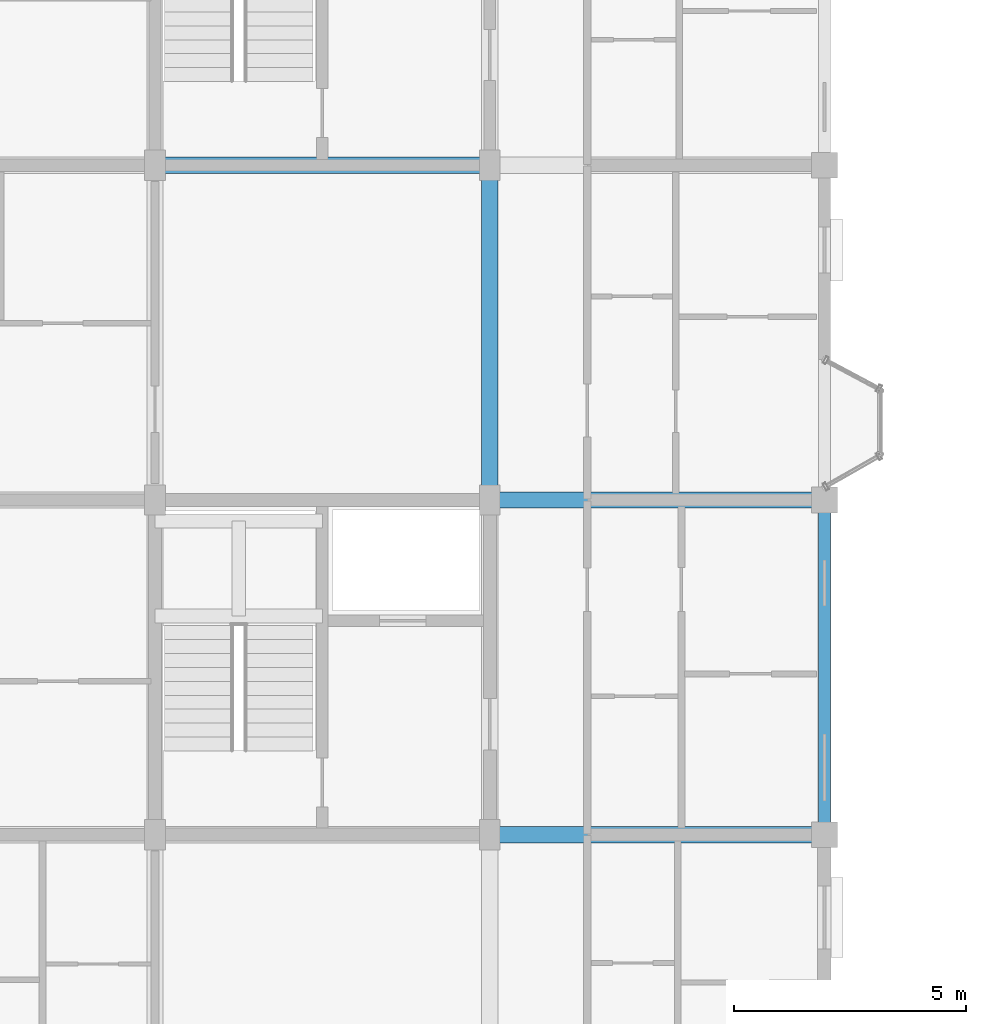
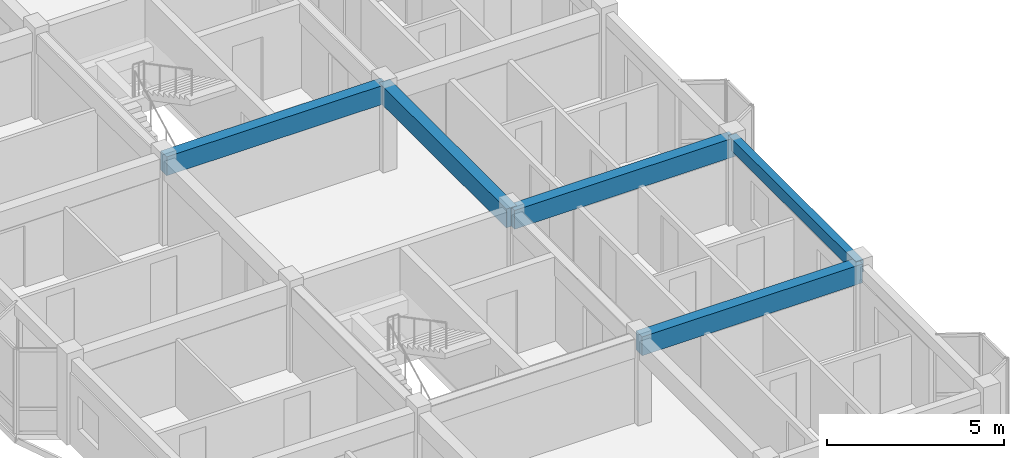
# One storey, part 18 of 77: 5 beams.
"""IFC4 building model written with IfcOpenShell, lengths in metres."""

from ifc_helpers import new_model, si_unit, direction, frame, origin, origin_2d, place, context, subcontext, project, spatial, rectangle, extrude, material, material_profile, profile_set, type_object, element, save


model = new_model("IFC4")

# Units and contexts
model_context = context("Model", 3, precision=1e-05, world=origin(), true_north=direction((0.0, 1.0)))
body_context = subcontext(model_context, "Body", "Model", "MODEL_VIEW")
ifc_project = project(units=[si_unit("LENGTHUNIT", "METRE"), si_unit("AREAUNIT", "SQUARE_METRE"), si_unit("VOLUMEUNIT", "CUBIC_METRE"), si_unit("PLANEANGLEUNIT", "RADIAN"), si_unit("MASSUNIT", "GRAM", prefix="KILO"), si_unit("THERMODYNAMICTEMPERATUREUNIT", "KELVIN"), si_unit("POWERUNIT", "WATT")], contexts=[model_context])

# Site, building, storey
site_placement = place(None, origin())
site = spatial("IfcSite", under=ifc_project, at=site_placement, CompositionType="ELEMENT")
building_placement = place(site_placement, origin())
building = spatial("IfcBuilding", under=site, at=building_placement, Name="Tavuni Mirador Residences", CompositionType="ELEMENT")
storey_placement = place(building_placement, frame((0.0, 0.0, 10.800048828125)))
storey = spatial("IfcBuildingStorey", under=building, at=storey_placement, Name="L03", CompositionType="ELEMENT", Elevation=10.800048828125)

# Beams
ifc_material = material(Name="Precast concrete C40/50", Category="concrete")
ifc_material_profile_1 = material_profile(ifc_material, rectangle(XDim=0.35009765625, YDim=0.64990234375, at=origin_2d()), Name="PC 350x650", Category="concrete")
ifc_profile_set_1 = profile_set([ifc_material_profile_1], Name="Precast concrete C40/50")
beam_type_1 = type_object("IfcBeamType", Name="BT-B650", PredefinedType="BEAM", material=ifc_profile_set_1)
for number, where, z_axis, x_axis, name in (
    (1, (18.0, 72.0, 2.5849609375), (1.0, 0.0, 0.0), (0.0, 1.0, 0.0), "BMX-BLK-B-L03-02-01"),
    (2, (18.0, 79.199951171875, 2.5849609375), (1.0, 0.0, 0.0), (0.0, 1.0, 0.0), "BMX-BLK-B-L03-02-02"),
    (3, (10.800048828125, 86.39990234375, 2.5849609375), (1.0, 0.0, 0.0), (0.0, 1.0, 0.0), "BMX-BLK-B-L03-01-03"),
    (4, (18.0, 79.199951171875, 2.5849609375), (0.0, 1.0, 0.0), (-1.0, 0.0, 0.0), "BMY-BLK-B-L03-02-02"),
):
    element("IfcBeam", number, at=place(storey_placement, frame(where, z_axis=z_axis, x_axis=x_axis)), inside=storey, type_object=beam_type_1, Name=name, PredefinedType="BEAM", context=body_context, shape_type="SweptSolid", body=[
        extrude(rectangle(XDim=0.35009765625, YDim=0.64990234375, at=origin_2d()), origin(), (0.0, 0.0, 1.0), 7.199951171875),
    ])
ifc_material_profile_2 = material_profile(ifc_material, rectangle(XDim=0.25, YDim=0.419921875, at=origin_2d()), Name="PC 250x420", Category="concrete")
ifc_profile_set_2 = profile_set([ifc_material_profile_2], Name="Precast concrete C40/50")
beam_type_2 = type_object("IfcBeamType", Name="BT-SP420", PredefinedType="SPANDREL", material=ifc_profile_set_2)
beam_placement = place(storey_placement, frame((25.199951171875, 72.0, 2.699951171875), z_axis=(0.0, 1.0, 0.0), x_axis=(-1.0, 0.0, 0.0)))
element("IfcBeam", 5, at=beam_placement, inside=storey, type_object=beam_type_2, Name="BMY-BLK-B-L03-03-01", PredefinedType="SPANDREL", context=body_context, shape_type="SweptSolid", body=[
    extrude(rectangle(XDim=0.25, YDim=0.419921875, at=origin_2d()), origin(), (0.0, 0.0, 1.0), 7.199951171875),
])

save(model, "model.ifc")
